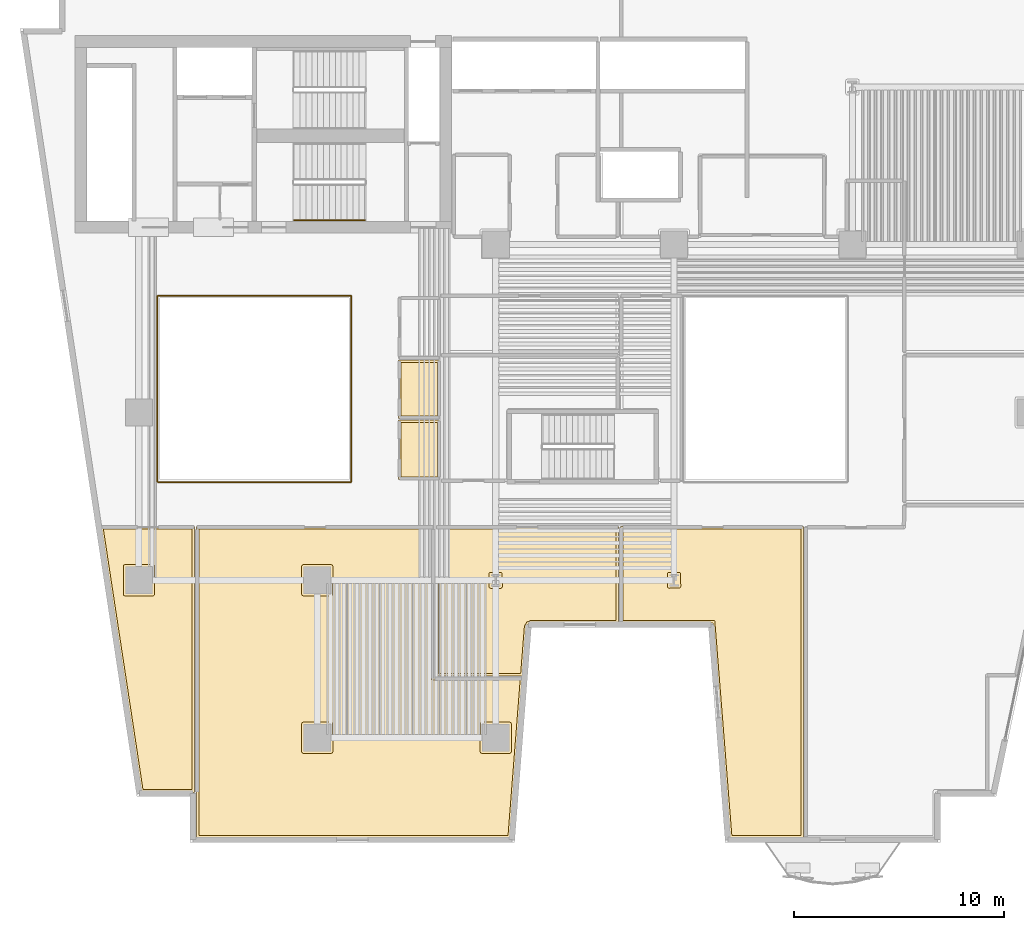
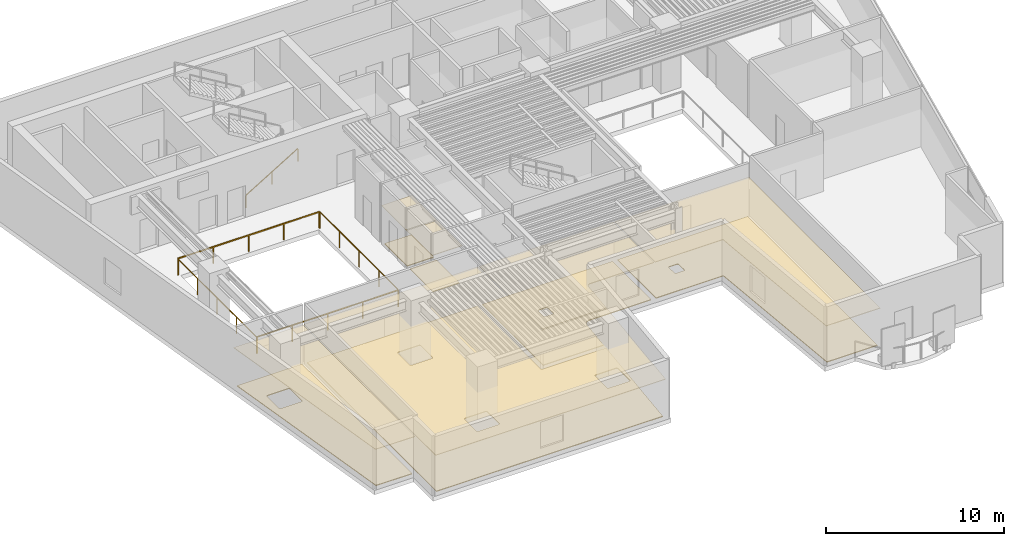
# One storey, part 7 of 11: 12 coverings, 5 railings.
"""IFC4 building model written with IfcOpenShell, lengths in metres."""

from ifc_helpers import new_model, si_unit, direction, frame, origin, origin_2d, place, context, subcontext, project, spatial, polyline, rectangle, outline, extrude, material, layer, layer_set, type_object, element, save


model = new_model("IFC4")

# Units and contexts
model_context = context("Model", 3, precision=1e-05, world=origin(), true_north=direction((0.0, 1.0)))
body_context = subcontext(model_context, "Body", "Model", "MODEL_VIEW")
ifc_project = project(units=[si_unit("LENGTHUNIT", "METRE"), si_unit("AREAUNIT", "SQUARE_METRE"), si_unit("VOLUMEUNIT", "CUBIC_METRE"), si_unit("PLANEANGLEUNIT", "RADIAN"), si_unit("MASSUNIT", "GRAM", prefix="KILO")], contexts=[model_context])

# Site, building, storey
site_placement = place(None, origin())
site = spatial("IfcSite", under=ifc_project, at=site_placement, CompositionType="ELEMENT")
building_placement = place(site_placement, origin())
building = spatial("IfcBuilding", under=site, at=building_placement, Name="Caeloran Harvest Quay", CompositionType="ELEMENT")
storey_placement = place(building_placement, frame((0.0, 0.0, 53.39990234375)))
storey = spatial("IfcBuildingStorey", under=building, at=storey_placement, Name="L12", CompositionType="ELEMENT", Elevation=53.39990234375)

# Coverings
ifc_material_1 = material(Name="Perforated Mineral-Fibre Acoustic Ceiling Tile", Category="ceiling")
ifc_layer_1 = layer(ifc_material_1, 0.0400390625, Name="Perforated Mineral-Fibre Acoustic Ceiling Tile")
ifc_layer_set_1 = layer_set([ifc_layer_1], Name="Perforated Mineral-Fibre Acoustic Ceiling Tile")
covering_type_1 = type_object("IfcCoveringType", Name="COV-CEILING-ACOUSTIC", PredefinedType="CEILING", material=ifc_layer_set_1)
covering_1_placement = place(storey_placement, frame((0.0, 0.0, 2.60009765625)))
element("IfcCovering", 1, at=covering_1_placement, inside=storey, type_object=covering_type_1, Name="L12 Female Washroom WC Acoustic Ceiling", PredefinedType="CEILING", context=body_context, shape_type="SweptSolid", body=[
    extrude(outline(polyline([(22.840087890625, 22.7099609375), (20.8701171875, 22.7099609375), (20.8701171875, 25.489990234375), (22.840087890625, 25.489990234375), (22.840087890625, 22.7099609375)])), origin(), (0.0, 0.0, 1.0), 0.0400390625),
])
covering_2_placement = place(storey_placement, frame((0.0, 0.0, 2.60009765625)))
element("IfcCovering", 2, at=covering_2_placement, inside=storey, type_object=covering_type_1, Name="L12 Accessible Unisex Washroom WC Acoustic Ceiling", PredefinedType="CEILING", context=body_context, shape_type="SweptSolid", body=[
    extrude(outline(polyline([(22.840087890625, 19.81005859375), (20.8701171875, 19.81005859375), (20.8701171875, 22.639892578125), (22.840087890625, 22.639892578125), (22.840087890625, 19.81005859375)])), origin(), (0.0, 0.0, 1.0), 0.0400390625),
])
covering_3_placement = place(storey_placement, frame((0.0, 0.0, 2.60009765625)))
element("IfcCovering", 3, at=covering_3_placement, inside=storey, type_object=covering_type_1, Name="Fermented Botanical Kitchen Acoustic Ceiling", PredefinedType="CEILING", context=body_context, shape_type="SweptSolid", body=[
    extrude(outline(polyline([(22.56005859375, 10.360107421875), (26.7958984375, 10.360107421875), (26.199462890625, 2.719970703125), (11.239990234375, 2.719970703125), (11.239990234375, 17.56005859375), (22.56005859375, 17.56005859375), (22.56005859375, 10.360107421875)])), origin(), (0.0, 0.0, 1.0), 0.0400390625),
])
covering_4_placement = place(storey_placement, frame((0.0, 0.0, 2.60009765625)))
element("IfcCovering", 4, at=covering_4_placement, inside=storey, type_object=covering_type_1, Name="Seedling Sensory Salon Lounge Acoustic Ceiling", PredefinedType="CEILING", context=body_context, shape_type="SweptSolid", body=[
    extrude(outline(polyline([(31.43994140625, 17.56005859375), (40.159912109375, 17.56005859375), (40.159912109375, 2.719970703125), (36.64404296875, 2.719970703125), (35.843994140625, 12.969970703125), (31.43994140625, 12.969970703125), (31.43994140625, 17.56005859375)])), origin(), (0.0, 0.0, 1.0), 0.0400390625),
])
covering_5_placement = place(storey_placement, frame((0.0, 0.0, 2.60009765625)))
element("IfcCovering", 5, at=covering_5_placement, inside=storey, type_object=covering_type_1, Name="Pollination Dining Lounge Acoustic Ceiling", PredefinedType="CEILING", context=body_context, shape_type="SweptSolid", body=[
    extrude(outline(polyline([(11.159912109375, 4.899658203125), (8.59130859375, 4.919921875), (6.668701171875, 17.56005859375), (11.159912109375, 17.56005859375), (11.159912109375, 4.899658203125)])), origin(), (0.0, 0.0, 1.0), 0.0400390625),
])
covering_6_placement = place(storey_placement, frame((0.0, 0.0, 2.60009765625)))
element("IfcCovering", 6, at=covering_6_placement, inside=storey, type_object=covering_type_1, Name="Harvest Seminar Room Acoustic Ceiling", PredefinedType="CEILING", context=body_context, shape_type="SweptSolid", body=[
    extrude(outline(polyline([(27.159423828125, 12.965576171875), (27.0458984375, 12.90380859375), (26.986572265625, 12.788818359375), (26.802001953125, 10.43994140625), (22.639892578125, 10.43994140625), (22.639892578125, 17.56005859375), (31.360107421875, 17.56005859375), (31.360107421875, 12.969970703125), (27.159423828125, 12.965576171875)])), origin(), (0.0, 0.0, 1.0), 0.0400390625),
])
ifc_material_2 = material(Name="Calcium-Sulphate Raised Access Floor and Terrazzo Finish", Category="flooring")
ifc_layer_2 = layer(ifc_material_2, 0.050048828125, Name="Calcium-Sulphate Raised Access Floor and Terrazzo Finish")
ifc_layer_set_2 = layer_set([ifc_layer_2], Name="Calcium-Sulphate Raised Access Floor and Terrazzo Finish")
covering_type_2 = type_object("IfcCoveringType", Name="COV-FLOOR-RAISED", PredefinedType="FLOORING", material=ifc_layer_set_2)
covering_7_placement = place(storey_placement, origin())
element("IfcCovering", 7, at=covering_7_placement, inside=storey, type_object=covering_type_2, Name="L12 Female Washroom WC Raised Finish Flooring", PredefinedType="FLOORING", context=body_context, shape_type="SweptSolid", body=[
    extrude(outline(polyline([(22.719970703125, 22.830078125), (20.989990234375, 22.830078125), (20.989990234375, 25.3701171875), (22.719970703125, 25.3701171875), (22.719970703125, 22.830078125)])), origin(), (0.0, 0.0, 1.0), 0.050048828125),
])
covering_8_placement = place(storey_placement, origin())
element("IfcCovering", 8, at=covering_8_placement, inside=storey, type_object=covering_type_2, Name="L12 Accessible Unisex Washroom WC Raised Finish Flooring", PredefinedType="FLOORING", context=body_context, shape_type="SweptSolid", body=[
    extrude(outline(polyline([(22.719970703125, 19.929931640625), (20.989990234375, 19.929931640625), (20.989990234375, 22.52001953125), (22.719970703125, 22.52001953125), (22.719970703125, 19.929931640625)])), origin(), (0.0, 0.0, 1.0), 0.050048828125),
])
covering_9_placement = place(storey_placement, origin())
element("IfcCovering", 9, at=covering_9_placement, inside=storey, type_object=covering_type_2, Name="Fermented Botanical Kitchen Raised Finish Flooring", PredefinedType="FLOORING", context=body_context, shape_type="SweptSolid", body=[
    extrude(outline(polyline([(11.360107421875, 17.43994140625), (22.43994140625, 17.43994140625), (22.449462890625, 10.2822265625), (22.52001953125, 10.239990234375), (26.666015625, 10.239990234375), (26.08837890625, 2.840087890625), (11.360107421875, 2.840087890625), (11.360107421875, 17.43994140625)]), holes=[polyline([(26.2451171875, 8.1650390625), (26.2216796875, 8.2216796875), (26.1650390625, 8.2451171875), (24.8349609375, 8.2451171875), (24.7783203125, 8.2216796875), (24.7548828125, 8.1650390625), (24.7548828125, 6.8349609375), (24.7783203125, 6.7783203125), (24.8349609375, 6.7548828125), (26.1650390625, 6.7548828125), (26.2216796875, 6.7783203125), (26.2451171875, 6.8349609375), (26.2451171875, 8.1650390625)]), polyline([(16.3349609375, 8.2451171875), (16.2783203125, 8.2216796875), (16.2548828125, 8.1650390625), (16.2548828125, 6.8349609375), (16.2783203125, 6.7783203125), (16.3349609375, 6.7548828125), (17.6650390625, 6.7548828125), (17.7216796875, 6.7783203125), (17.7451171875, 6.8349609375), (17.7451171875, 8.1650390625), (17.7216796875, 8.2216796875), (17.6650390625, 8.2451171875), (16.3349609375, 8.2451171875)]), polyline([(17.7451171875, 15.6650390625), (17.7216796875, 15.7216796875), (17.6650390625, 15.7451171875), (16.3349609375, 15.7451171875), (16.2783203125, 15.7216796875), (16.2548828125, 15.6650390625), (16.2548828125, 14.3349609375), (16.2783203125, 14.2783203125), (16.3349609375, 14.2548828125), (17.6650390625, 14.2548828125), (17.7216796875, 14.2783203125), (17.7451171875, 14.3349609375), (17.7451171875, 15.6650390625)])]), origin(), (0.0, 0.0, 1.0), 0.050048828125),
])
covering_10_placement = place(storey_placement, origin())
element("IfcCovering", 10, at=covering_10_placement, inside=storey, type_object=covering_type_2, Name="Seedling Sensory Salon Lounge Raised Finish Flooring", PredefinedType="FLOORING", context=body_context, shape_type="SweptSolid", body=[
    extrude(outline(polyline([(31.56005859375, 13.090087890625), (31.56005859375, 17.43994140625), (40.0400390625, 17.43994140625), (40.0400390625, 2.840087890625), (36.7548828125, 2.840087890625), (35.943603515625, 13.06005859375), (35.881103515625, 13.090087890625), (31.56005859375, 13.090087890625)]), holes=[polyline([(33.758056640625, 15.37939453125), (33.701416015625, 15.356201171875), (33.678466796875, 15.307373046875), (33.69140625, 14.656005859375), (33.758056640625, 14.62060546875), (34.286376953125, 14.634033203125), (34.322021484375, 14.700439453125), (34.30859375, 15.343994140625), (34.249755859375, 15.379150390625), (33.758056640625, 15.37939453125)])]), origin(), (0.0, 0.0, 1.0), 0.050048828125),
])
covering_11_placement = place(storey_placement, origin())
element("IfcCovering", 11, at=covering_11_placement, inside=storey, type_object=covering_type_2, Name="Pollination Dining Lounge Raised Finish Flooring", PredefinedType="FLOORING", context=body_context, shape_type="SweptSolid", body=[
    extrude(outline(polyline([(11.0400390625, 5.02392578125), (8.694580078125, 5.0400390625), (6.80810546875, 17.43994140625), (11.0400390625, 17.43994140625), (11.0400390625, 5.02392578125)]), holes=[polyline([(9.2451171875, 15.6650390625), (9.2216796875, 15.7216796875), (9.1650390625, 15.7451171875), (7.8349609375, 15.7451171875), (7.7783203125, 15.7216796875), (7.7548828125, 15.6650390625), (7.7548828125, 14.3349609375), (7.7783203125, 14.2783203125), (7.8349609375, 14.2548828125), (9.1650390625, 14.2548828125), (9.2216796875, 14.2783203125), (9.2451171875, 14.3349609375), (9.2451171875, 15.6650390625)])]), origin(), (0.0, 0.0, 1.0), 0.050048828125),
])
covering_12_placement = place(storey_placement, origin())
element("IfcCovering", 12, at=covering_12_placement, inside=storey, type_object=covering_type_2, Name="Harvest Seminar Room Raised Finish Flooring", PredefinedType="FLOORING", context=body_context, shape_type="SweptSolid", body=[
    extrude(outline(polyline([(27.173095703125, 13.088623046875), (26.981689453125, 13.008056640625), (26.869140625, 12.81396484375), (26.69091796875, 10.56005859375), (22.760009765625, 10.56005859375), (22.760009765625, 17.43994140625), (31.239990234375, 17.43994140625), (31.239990234375, 13.090087890625), (27.173095703125, 13.088623046875)]), holes=[polyline([(25.822021484375, 14.700439453125), (25.8037109375, 15.350341796875), (25.749755859375, 15.379150390625), (25.258056640625, 15.37939453125), (25.201416015625, 15.356201171875), (25.177978515625, 15.299560546875), (25.177978515625, 14.700439453125), (25.201416015625, 14.643798828125), (25.258056640625, 14.62060546875), (25.741943359375, 14.62060546875), (25.798583984375, 14.643798828125), (25.822021484375, 14.700439453125)])]), origin(), (0.0, 0.0, 1.0), 0.050048828125),
])

# Railings
ifc_material_3 = material(Name="Powder-Coated Steel Post and Laminated Glass Guardrail", Category="steel")
ifc_layer_3 = layer(ifc_material_3, 0.06005859375, Name="Powder-Coated Steel Post and Laminated Glass Guardrail")
ifc_layer_set_3 = layer_set([ifc_layer_3], Name="Powder-Coated Steel Post and Laminated Glass Guardrail")
railing_type_1 = type_object("IfcRailingType", Name="GUARD-ATRIUM-1150", PredefinedType="GUARDRAIL", material=ifc_layer_set_3)
railing_1_placement = place(storey_placement, frame((9.412109375, 19.679931640625, 0.0)))
element("IfcRailing", 13, at=railing_1_placement, inside=storey, type_object=railing_type_1, Name="L12 Skylit Atrium Void Perimeter Guardrail Seg 1", PredefinedType="GUARDRAIL", context=body_context, shape_type="SweptSolid", body=[
    extrude(rectangle(XDim=0.048095703125, YDim=0.048095703125, at=origin_2d()), frame((0.0, 0.0, 1.1259765625), z_axis=(1.0, 0.0, 0.0), x_axis=(0.0, 1.0, 0.0)), (0.0, 0.0, 1.0), 9.17578125),
    extrude(rectangle(XDim=0.0419921875, YDim=0.0419921875, at=origin_2d()), origin(), (0.0, 0.0, 1.0), 1.101806640625),
    extrude(rectangle(XDim=0.0419921875, YDim=0.0419921875, at=origin_2d()), frame((2.2939453125, 0.0, 0.0)), (0.0, 0.0, 1.0), 1.101806640625),
    extrude(rectangle(XDim=0.0419921875, YDim=0.0419921875, at=origin_2d()), frame((4.587890625, 0.0, 0.0)), (0.0, 0.0, 1.0), 1.101806640625),
    extrude(rectangle(XDim=0.0419921875, YDim=0.0419921875, at=origin_2d()), frame((6.8818359375, 0.0, 0.0)), (0.0, 0.0, 1.0), 1.101806640625),
    extrude(rectangle(XDim=0.0419921875, YDim=0.0419921875, at=origin_2d()), frame((9.17578125, 0.0, 0.0)), (0.0, 0.0, 1.0), 1.101806640625),
])
railing_2_placement = place(storey_placement, frame((18.6201171875, 19.7119140625, 0.0)))
element("IfcRailing", 14, at=railing_2_placement, inside=storey, type_object=railing_type_1, Name="L12 Skylit Atrium Void Perimeter Guardrail Seg 2", PredefinedType="GUARDRAIL", context=body_context, shape_type="SweptSolid", body=[
    extrude(rectangle(XDim=0.048095703125, YDim=0.048095703125, at=origin_2d()), frame((0.0, 0.0, 1.1259765625), z_axis=(0.0, 1.0, 0.0), x_axis=(-1.0, 0.0, 0.0)), (0.0, 0.0, 1.0), 8.826171875),
    extrude(rectangle(XDim=0.0419921875, YDim=0.0419921875, at=origin_2d()), origin(), (0.0, 0.0, 1.0), 1.101806640625),
    extrude(rectangle(XDim=0.0419921875, YDim=0.0419921875, at=origin_2d()), frame((0.0, 2.20654296875, 0.0)), (0.0, 0.0, 1.0), 1.101806640625),
    extrude(rectangle(XDim=0.0419921875, YDim=0.0419921875, at=origin_2d()), frame((0.0, 4.4130859375, 0.0)), (0.0, 0.0, 1.0), 1.101806640625),
    extrude(rectangle(XDim=0.0419921875, YDim=0.0419921875, at=origin_2d()), frame((0.0, 6.61962890625, 0.0)), (0.0, 0.0, 1.0), 1.101806640625),
    extrude(rectangle(XDim=0.0419921875, YDim=0.0419921875, at=origin_2d()), frame((0.0, 8.826171875, 0.0)), (0.0, 0.0, 1.0), 1.101806640625),
])
railing_3_placement = place(storey_placement, frame((18.587890625, 28.570068359375, 0.0)))
element("IfcRailing", 15, at=railing_3_placement, inside=storey, type_object=railing_type_1, Name="L12 Skylit Atrium Void Perimeter Guardrail Seg 3", PredefinedType="GUARDRAIL", context=body_context, shape_type="SweptSolid", body=[
    extrude(rectangle(XDim=0.048095703125, YDim=0.048095703125, at=origin_2d()), frame((0.0, 0.0, 1.1259765625), z_axis=(-1.0, 0.0, 0.0), x_axis=(0.0, -1.0, 0.0)), (0.0, 0.0, 1.0), 9.17578125),
    extrude(rectangle(XDim=0.0419921875, YDim=0.0419921875, at=origin_2d()), origin(), (0.0, 0.0, 1.0), 1.101806640625),
    extrude(rectangle(XDim=0.0419921875, YDim=0.0419921875, at=origin_2d()), frame((-2.2939453125, 0.0, 0.0)), (0.0, 0.0, 1.0), 1.101806640625),
    extrude(rectangle(XDim=0.0419921875, YDim=0.0419921875, at=origin_2d()), frame((-4.587890625, 0.0, 0.0)), (0.0, 0.0, 1.0), 1.101806640625),
    extrude(rectangle(XDim=0.0419921875, YDim=0.0419921875, at=origin_2d()), frame((-6.8818359375, 0.0, 0.0)), (0.0, 0.0, 1.0), 1.101806640625),
    extrude(rectangle(XDim=0.0419921875, YDim=0.0419921875, at=origin_2d()), frame((-9.17578125, 0.0, 0.0)), (0.0, 0.0, 1.0), 1.101806640625),
])
railing_4_placement = place(storey_placement, frame((9.3798828125, 28.5380859375, 0.0)))
element("IfcRailing", 16, at=railing_4_placement, inside=storey, type_object=railing_type_1, Name="L12 Skylit Atrium Void Perimeter Guardrail Seg 4", PredefinedType="GUARDRAIL", context=body_context, shape_type="SweptSolid", body=[
    extrude(rectangle(XDim=0.048095703125, YDim=0.048095703125, at=origin_2d()), frame((0.0, 0.0, 1.1259765625), z_axis=(0.0, -1.0, 0.0), x_axis=(1.0, 0.0, 0.0)), (0.0, 0.0, 1.0), 8.826171875),
    extrude(rectangle(XDim=0.0419921875, YDim=0.0419921875, at=origin_2d()), origin(), (0.0, 0.0, 1.0), 1.101806640625),
    extrude(rectangle(XDim=0.0419921875, YDim=0.0419921875, at=origin_2d()), frame((0.0, -2.20654296875, 0.0)), (0.0, 0.0, 1.0), 1.101806640625),
    extrude(rectangle(XDim=0.0419921875, YDim=0.0419921875, at=origin_2d()), frame((0.0, -4.4130859375, 0.0)), (0.0, 0.0, 1.0), 1.101806640625),
    extrude(rectangle(XDim=0.0419921875, YDim=0.0419921875, at=origin_2d()), frame((0.0, -6.61962890625, 0.0)), (0.0, 0.0, 1.0), 1.101806640625),
    extrude(rectangle(XDim=0.0419921875, YDim=0.0419921875, at=origin_2d()), frame((0.0, -8.826171875, 0.0)), (0.0, 0.0, 1.0), 1.101806640625),
])
ifc_material_4 = material(Name="Brushed Stainless Steel Grade 304", Category="steel")
ifc_layer_4 = layer(ifc_material_4, 0.050048828125, Name="Brushed Stainless Steel Grade 304")
ifc_layer_set_4 = layer_set([ifc_layer_4], Name="Brushed Stainless Steel Grade 304")
railing_type_2 = type_object("IfcRailingType", Name="STAIR-HANDRAIL-900", PredefinedType="HANDRAIL", material=ifc_layer_set_4)
railing_5_placement = place(storey_placement, frame((15.89990234375, 32.14990234375, 0.16943359375)))
element("IfcRailing", 17, at=railing_5_placement, inside=storey, type_object=railing_type_2, Name="L12 ST-C2 stair handrail 1", PredefinedType="HANDRAIL", context=body_context, shape_type="SweptSolid", body=[
    extrude(rectangle(XDim=0.048095703125, YDim=0.048095703125, at=origin_2d()), frame((0.0, 0.0, 0.8759765625), z_axis=(0.855836976705, 0.0, 0.517245656632), x_axis=(0.0, 1.0, 0.0)), (0.0, 0.0, 1.0), 3.926025390625),
    extrude(rectangle(XDim=0.0419921875, YDim=0.0419921875, at=origin_2d()), origin(), (0.0, 0.0, 1.0), 0.851806640625),
    extrude(rectangle(XDim=0.0419921875, YDim=0.0419921875, at=origin_2d()), frame((1.68017578125, 0.0, 1.015380859375)), (0.0, 0.0, 1.0), 0.851806640625),
    extrude(rectangle(XDim=0.0419921875, YDim=0.0419921875, at=origin_2d()), frame((3.360107421875, 0.0, 2.03076171875)), (0.0, 0.0, 1.0), 0.851806640625),
])

save(model, "model.ifc")
